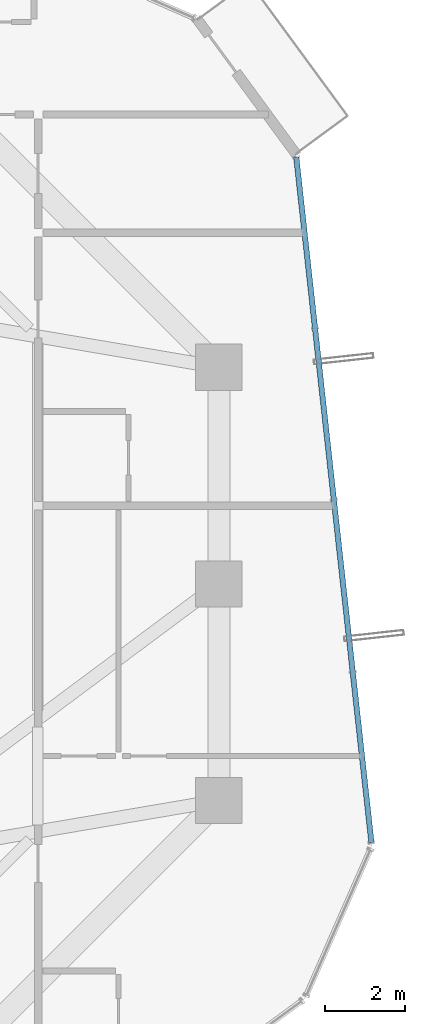
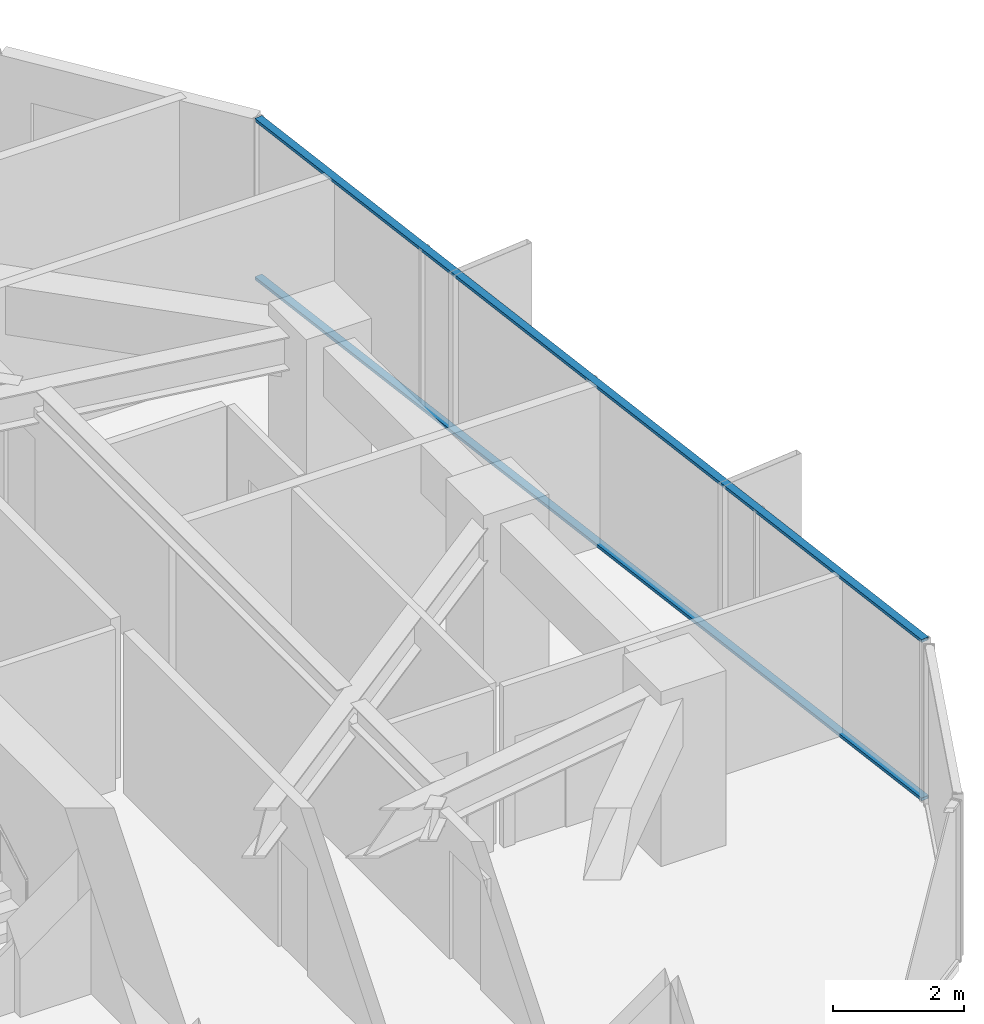
# One storey, part 17 of 34: 2 members, 1 element without a shape of its own.
"""IFC4 building model written with IfcOpenShell, lengths in metres."""

from ifc_helpers import new_model, si_unit, direction, frame, origin, origin_2d, place, context, subcontext, project, spatial, hollow_rectangle, extrude, source, transform, mapped, material, layer, layer_set, material_profile, profile_set, type_object, element, aggregate, save


model = new_model("IFC4")

# Units and contexts
model_context = context("Model", 3, precision=1e-05, world=origin(), true_north=direction((0.0, 1.0)))
body_context = subcontext(model_context, "Body", "Model", "MODEL_VIEW")
ifc_project = project(units=[si_unit("LENGTHUNIT", "METRE"), si_unit("AREAUNIT", "SQUARE_METRE"), si_unit("VOLUMEUNIT", "CUBIC_METRE"), si_unit("PLANEANGLEUNIT", "RADIAN"), si_unit("MASSUNIT", "GRAM", prefix="KILO")], contexts=[model_context])

# Site, building, storey
site_placement = place(None, origin())
site = spatial("IfcSite", under=ifc_project, at=site_placement, CompositionType="ELEMENT")
building_placement = place(site_placement, origin())
building = spatial("IfcBuilding", under=site, at=building_placement, Name="Veraguas Prism Commons", CompositionType="ELEMENT")
storey_placement = place(building_placement, frame((0.0, 0.0, 149.0)))
storey = spatial("IfcBuildingStorey", under=building, at=storey_placement, Name="L42", CompositionType="ELEMENT", Elevation=149.0)

# Curtain wall, members
ifc_material = material(Name="Anodised aluminium EN AW-6063 T6", Category="aluminium")
ifc_layer = layer(ifc_material, 0.169921875, Name="Unitised Flush Curtain Wall Zone 2", Category="aluminium")
ifc_layer_set = layer_set([ifc_layer], Name="Anodised aluminium EN AW-6063 T6")
curtain_wall_type = type_object("IfcCurtainWallType", Name="Unitised Flush Curtain Wall Zone 2", PredefinedType="NOTDEFINED", material=ifc_layer_set)
curtain_wall_placement = place(storey_placement, origin())
curtain_wall = element("IfcCurtainWall", 1, at=curtain_wall_placement, inside=storey, type_object=curtain_wall_type, Name="Tower Facade Curtain Wall L42-F6", PredefinedType="NOTDEFINED")
ifc_material_profile = material_profile(ifc_material, hollow_rectangle(XDim=0.054931640625, YDim=0.135009765625, WallThickness=0.0029296875, at=origin_2d()), Name="AL55X135X3")
ifc_profile_set = profile_set([ifc_material_profile], Name="Anodised aluminium EN AW-6063 T6")
member_type = type_object("IfcMemberType", Name="Curtain Wall Transom Standard AL 55x135x3", PredefinedType="USERDEFINED", material=ifc_profile_set)
shared_shape = source(origin(), body_context, "Body", "SweptSolid", [
    extrude(hollow_rectangle(XDim=0.054931640625, YDim=0.135009765625, WallThickness=0.0029296875, at=origin_2d()), origin(), (0.0, 0.0, 1.0), 17.17431640625),
])
member_1_placement = place(storey_placement, frame((44.00439453125, 17.5556640625, 0.027587890625), z_axis=(-0.109045942322, 0.994036710823, 0.0), x_axis=(0.0, 0.0, 1.0)))
member_1 = element("IfcMember", 2, at=member_1_placement, type_object=member_type, Name="CW-Z2 Transom 1", ObjectType="TRANSOM", PredefinedType="USERDEFINED", context=body_context, shape_type="MappedRepresentation", body=[
    mapped(shared_shape, transform((0.0, 0.0, 0.0), scale=1.0)),
])
member_2_placement = place(storey_placement, frame((44.00439453125, 17.5556640625, 2.972412109375), z_axis=(-0.109045942322, 0.994036710823, 0.0), x_axis=(0.0, 0.0, 1.0)))
member_2 = element("IfcMember", 3, at=member_2_placement, type_object=member_type, Name="CW-Z2 Transom 2", ObjectType="TRANSOM", PredefinedType="USERDEFINED", context=body_context, shape_type="MappedRepresentation", body=[
    mapped(shared_shape, transform((0.0, 0.0, 0.0), scale=1.0)),
])
aggregate(curtain_wall, [member_1, member_2])

save(model, "model.ifc")
